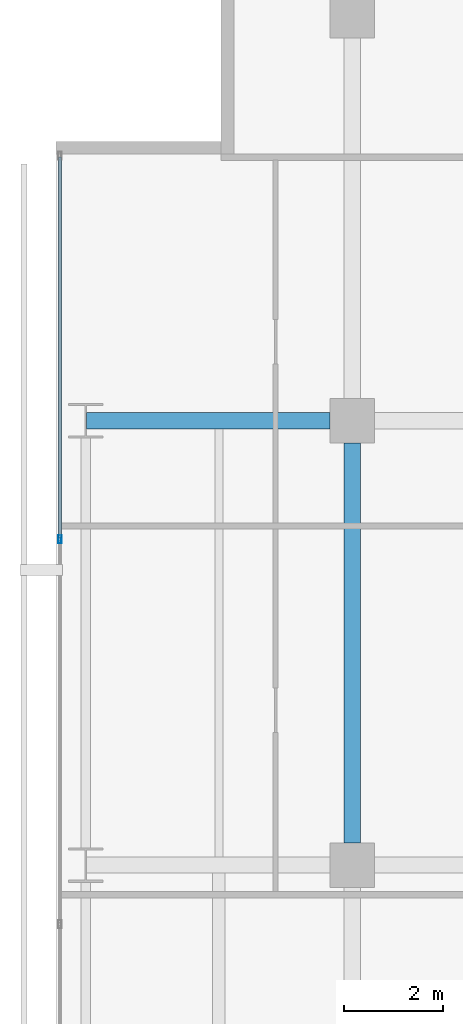
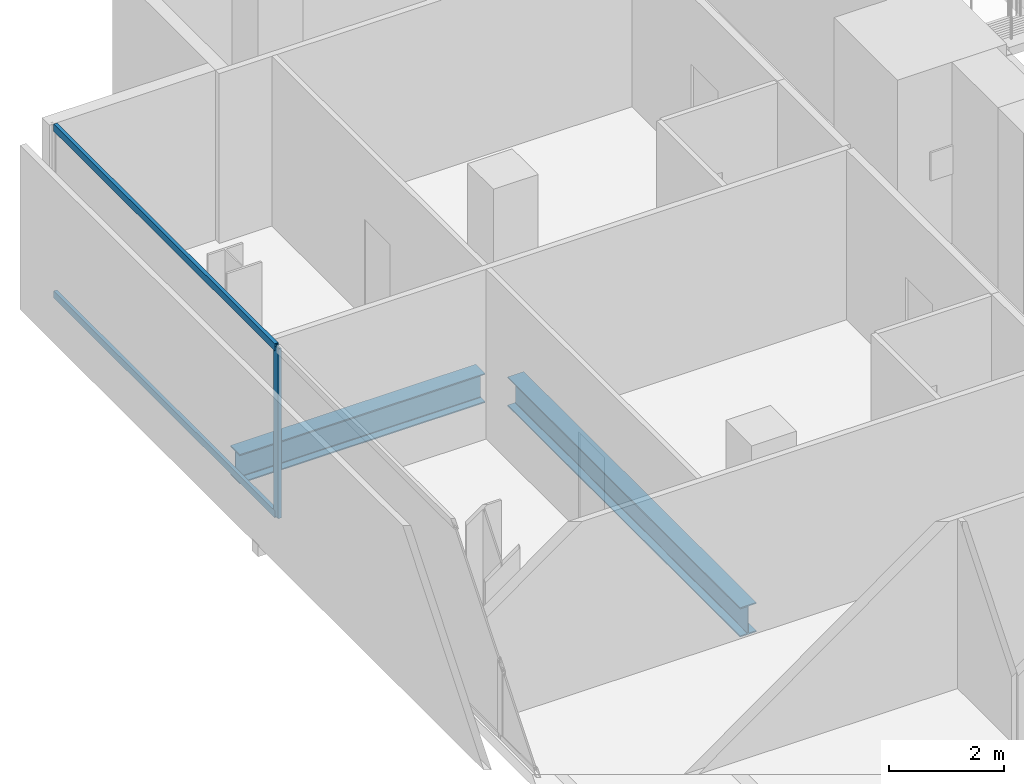
# One storey, part 23 of 39: 3 members, 2 beams, 1 element without a shape of its own.
"""IFC4 building model written with IfcOpenShell, lengths in metres."""

import ifcopenshell
import ifcopenshell.guid

model = None  # the IFC model being written
_history = None  # IfcOwnerHistory: only IFC2X3 demands one
_inside = {}  # id of a spatial element -> (the spatial element, [elements in it])
_under = {}  # id of a project, library or spatial element -> (it, [spatial elements below it])
_declared = {}  # id of a project -> (the project, [libraries it declares])
_typed = {}  # id of a type object -> (the type object, [elements of that type])
_made_of = {}  # id of a material, layer set ... -> (it, [elements and type objects made of it])


def new_model(schema):
    """Start an empty IFC model of exactly this schema.

    Asked for "IFC4X3", IfcOpenShell would pick the latest addendum, in which some entities
    have other attributes; the version numbers below select the first issue.
    IFC2X3 requires an IfcOwnerHistory on every rooted entity: one is made here for all.
    """
    global model, _history
    if schema == "IFC4X3":
        model = ifcopenshell.file(schema_version=(4, 3, 0, 0))
    else:
        model = ifcopenshell.file(schema=schema)
    _inside.clear()
    _under.clear()
    _declared.clear()
    _typed.clear()
    _made_of.clear()
    _history = None
    if model.schema == "IFC2X3":
        org = make("IfcOrganization", Name="unknown")
        user = make(
            "IfcPersonAndOrganization",
            ThePerson=make("IfcPerson", FamilyName="unknown"),
            TheOrganization=org,
        )
        app = make(
            "IfcApplication",
            ApplicationDeveloper=org,
            Version="unknown",
            ApplicationFullName="unknown",
            ApplicationIdentifier="unknown",
        )
        _history = make(
            "IfcOwnerHistory",
            OwningUser=user,
            OwningApplication=app,
            ChangeAction="ADDED",
            CreationDate=0,
        )
    return model


def make(cls, **values):
    """One entity of the class cls with the attributes given. An attribute that is None is left unset."""
    return model.create_entity(
        cls, **{name: value for name, value in values.items() if value is not None}
    )


def rooted(cls, **values):
    """An entity with a GlobalId (a new one), such as an element, a storey or a relation."""
    return make(cls, GlobalId=ifcopenshell.guid.new(), OwnerHistory=_history, **values)


def si_unit(unit_type, name, prefix=None):
    """IfcSIUnit, for example si_unit("LENGTHUNIT", "METRE", prefix="MILLI")."""
    return make("IfcSIUnit", UnitType=unit_type, Prefix=prefix, Name=name)


def assignment(units):
    """IfcUnitAssignment: the units of a project."""
    return None if units is None else make("IfcUnitAssignment", Units=units)


def point(xyz):
    """IfcCartesianPoint."""
    return None if xyz is None else make("IfcCartesianPoint", Coordinates=xyz)


def direction(xyz):
    """IfcDirection."""
    return None if xyz is None else make("IfcDirection", DirectionRatios=xyz)


def frame(location, z_axis=None, x_axis=None):
    """IfcAxis2Placement3D, a coordinate frame: its origin and axes. An axis left out is left unset."""
    return make(
        "IfcAxis2Placement3D",
        Location=point(location),
        Axis=direction(z_axis),
        RefDirection=direction(x_axis),
    )


def frame_2d(location, x_axis=None):
    """IfcAxis2Placement2D, a coordinate frame in the plane: its origin and x axis."""
    return make(
        "IfcAxis2Placement2D", Location=point(location), RefDirection=direction(x_axis)
    )


def origin():
    """The frame at (0, 0, 0) with its axes left unset."""
    return frame((0.0, 0.0, 0.0))


def origin_2d():
    """The frame at (0, 0) in the plane with its x axis left unset."""
    return frame_2d((0.0, 0.0))


def place(relative_to, where):
    """IfcLocalPlacement: puts the frame where relative to a parent placement (None: the world)."""
    return make(
        "IfcLocalPlacement", PlacementRelTo=relative_to, RelativePlacement=where
    )


def context(
    kind, dimensions, precision=None, world=None, true_north=None, identifier=None
):
    """IfcGeometricRepresentationContext, for example the 3D "Model" context."""
    return make(
        "IfcGeometricRepresentationContext",
        ContextIdentifier=identifier,
        ContextType=kind,
        CoordinateSpaceDimension=dimensions,
        Precision=precision,
        WorldCoordinateSystem=world,
        TrueNorth=true_north,
    )


def subcontext(parent, identifier, kind, view, scale=None):
    """IfcGeometricRepresentationSubContext, for example "Body" below "Model"."""
    return make(
        "IfcGeometricRepresentationSubContext",
        ContextIdentifier=identifier,
        ContextType=kind,
        ParentContext=parent,
        TargetScale=scale,
        TargetView=view,
    )


def project(units=None, contexts=None):
    """IfcProject with its units and contexts."""
    return rooted(
        "IfcProject",
        Name="project",
        RepresentationContexts=contexts,
        UnitsInContext=assignment(units),
    )


def spatial(cls, under=None, at=None, **own):
    """A site, building, storey or space (cls), placed at a placement, below another one or the project."""
    s = rooted(cls, ObjectPlacement=at, **own)
    if under is not None:
        _under.setdefault(under.id(), (under, []))[1].append(s)
    return s


def profile(cls, at=None, kind="AREA", **sizes):
    """A parametric profile (cls). Its sizes go by their IFC names, for example OverallWidth=200.0."""
    return make(cls, ProfileType=kind, Position=at, **sizes)


def hollow_rectangle(**sizes):
    """IfcRectangleHollowProfileDef."""
    return profile("IfcRectangleHollowProfileDef", **sizes)


def i_section(**sizes):
    """IfcIShapeProfileDef."""
    return profile("IfcIShapeProfileDef", **sizes)


def extrude(swept, where, along, depth):
    """IfcExtrudedAreaSolid: the profile swept, set in the frame where, extruded along a direction by depth."""
    return make(
        "IfcExtrudedAreaSolid",
        SweptArea=swept,
        Position=where,
        ExtrudedDirection=direction(along),
        Depth=depth,
    )


def shape(context_of_items, identifier, shape_type, items):
    """IfcShapeRepresentation: the items that make up one representation, for example the "Body"."""
    return make(
        "IfcShapeRepresentation",
        ContextOfItems=context_of_items,
        RepresentationIdentifier=identifier,
        RepresentationType=shape_type,
        Items=items,
    )


def material(Name=None, Category=None):
    """IfcMaterial."""
    return make("IfcMaterial", Name=Name, Category=Category)


def layer(
    of_material, thickness, ventilated=None, Name=None, Category=None, Priority=None
):
    """IfcMaterialLayer: one layer of a wall or slab, of a material (None: an air gap)."""
    return make(
        "IfcMaterialLayer",
        Material=of_material,
        LayerThickness=thickness,
        IsVentilated=ventilated,
        Name=Name,
        Category=Category,
        Priority=Priority,
    )


def layer_set(layers, Name=None):
    """IfcMaterialLayerSet."""
    return make("IfcMaterialLayerSet", MaterialLayers=layers, LayerSetName=Name)


def material_profile(
    of_material, cross_section, Name=None, Category=None, Priority=None
):
    """IfcMaterialProfile: a cross section and its material."""
    return make(
        "IfcMaterialProfile",
        Name=Name,
        Material=of_material,
        Profile=cross_section,
        Priority=Priority,
        Category=Category,
    )


def profile_set(profiles, Name=None, composite=None):
    """IfcMaterialProfileSet."""
    return make(
        "IfcMaterialProfileSet",
        Name=Name,
        MaterialProfiles=profiles,
        CompositeProfile=composite,
    )


def made_of(thing, what):
    """Note that an element or type object is made of a material, layer set ...; save() writes the relation."""
    if what is not None:
        _made_of.setdefault(what.id(), (what, []))[1].append(thing)
    return thing


def type_object(cls, material=None, **own):
    """A type object (cls), such as IfcWallType, which elements share."""
    return made_of(rooted(cls, **own), material)


def element(
    cls,
    number,
    at=None,
    inside=None,
    cuts=None,
    type_object=None,
    material=None,
    context=None,
    identifier="Body",
    shape_type=None,
    held_by="IfcProductDefinitionShape",
    body=None,
    shapes=None,
    **own,
):
    """One element of the class cls, such as IfcWall. Its Tag is "e" and its number.

    at: its placement. inside: the storey or other place that contains it. cuts: it is an
    opening in that element (IfcRelVoidsElement). A single representation is given by context,
    identifier, shape_type and body (its items); several are given by shapes. held_by: the class
    of the entity that holds the representations. save() writes the other relations.
    """
    e = rooted(cls, Tag="e%d" % number, ObjectPlacement=at, **own)
    if body is not None:
        shapes = [shape(context, identifier, shape_type, body)]
    if shapes is not None:
        e.Representation = make(held_by, Representations=shapes)
    if inside is not None:
        _inside.setdefault(inside.id(), (inside, []))[1].append(e)
    if cuts is not None:
        rooted(
            "IfcRelVoidsElement", RelatingBuildingElement=cuts, RelatedOpeningElement=e
        )
    if type_object is not None:
        _typed.setdefault(type_object.id(), (type_object, []))[1].append(e)
    return made_of(e, material)


def aggregate(whole, parts):
    """IfcRelAggregates: a whole, such as a stair, and the parts it consists of."""
    return rooted("IfcRelAggregates", RelatingObject=whole, RelatedObjects=parts)


def save(model, path):
    """Write the relations noted so far, then the file.

    IfcRelAggregates (storeys below a building ...), IfcRelContainedInSpatialStructure (elements
    in a storey), IfcRelDefinesByType, IfcRelAssociatesMaterial and IfcRelDeclares: one each for
    every whole, place, type object, material and project.
    """
    for whole, parts in _under.values():
        aggregate(whole, parts)
    for where, things in _inside.values():
        rooted(
            "IfcRelContainedInSpatialStructure",
            RelatedElements=things,
            RelatingStructure=where,
        )
    for kind, things in _typed.values():
        rooted("IfcRelDefinesByType", RelatedObjects=things, RelatingType=kind)
    for what, things in _made_of.values():
        rooted("IfcRelAssociatesMaterial", RelatedObjects=things, RelatingMaterial=what)
    for by, libraries in _declared.values():
        rooted("IfcRelDeclares", RelatingContext=by, RelatedDefinitions=libraries)
    model.write(path)


model = new_model("IFC4")

# Units and contexts
model_context = context("Model", 3, precision=1e-05, world=origin(), true_north=direction((0.0, 1.0)))
body_context = subcontext(model_context, "Body", "Model", "MODEL_VIEW")
ifc_project = project(units=[si_unit("LENGTHUNIT", "METRE"), si_unit("AREAUNIT", "SQUARE_METRE"), si_unit("VOLUMEUNIT", "CUBIC_METRE"), si_unit("PLANEANGLEUNIT", "RADIAN"), si_unit("MASSUNIT", "GRAM", prefix="KILO")], contexts=[model_context])

# Site, building, storey
site_placement = place(None, origin())
site = spatial("IfcSite", under=ifc_project, at=site_placement, CompositionType="ELEMENT")
building_placement = place(site_placement, origin())
building = spatial("IfcBuilding", under=site, at=building_placement, Name="Maruvema Waterfront Hotel and Observation Tower", CompositionType="ELEMENT")
storey_placement = place(building_placement, frame((0.0, 0.0, 46.199951171875)))
storey = spatial("IfcBuildingStorey", under=building, at=storey_placement, Name="L10", CompositionType="ELEMENT", Elevation=46.199951171875)

# Curtain wall, members
ifc_material_1 = material(Name="Anodised bronze aluminium and solar-control low-E IGU", Category="aluminium")
ifc_layer = layer(ifc_material_1, 0.159912109375, Name="Zone 1 Bronze Inner Thermal Curtain Wall System CW-02")
ifc_layer_set = layer_set([ifc_layer], Name="Anodised bronze aluminium and solar-control low-E IGU")
curtain_wall_type = type_object("IfcCurtainWallType", Name="Zone 1 Bronze Inner Thermal Curtain Wall System CW-02", PredefinedType="USERDEFINED", material=ifc_layer_set)
curtain_wall_placement = place(storey_placement, origin())
curtain_wall = element("IfcCurtainWall", 1, at=curtain_wall_placement, inside=storey, type_object=curtain_wall_type, Name="L10 Curtain Wall CW-L10-W", ObjectType="UNITISED CURTAIN WALL", PredefinedType="USERDEFINED")
ifc_material_2 = material(Name="Anodised architectural bronze aluminium", Category="aluminium")
ifc_material_profile_1 = material_profile(ifc_material_2, hollow_rectangle(XDim=0.070068359375, YDim=0.14990234375, WallThickness=0.00390625, at=origin_2d()), Name="ALU-T70x150")
ifc_profile_set_1 = profile_set([ifc_material_profile_1], Name="Anodised architectural bronze aluminium")
member_type_1 = type_object("IfcMemberType", Name="Curtain Wall Horizontal Transom ALU-T70x150", PredefinedType="USERDEFINED", material=ifc_profile_set_1)
member_1_placement = place(storey_placement, frame((10.8798828125, 50.340087890625, 0.030029296875), z_axis=(0.0, -1.0, 0.0), x_axis=(1.0, 0.0, 0.0)))
member_1 = element("IfcMember", 2, at=member_1_placement, type_object=member_type_1, Name="CW-02 transom 1.1", ObjectType="TRANSOM", PredefinedType="USERDEFINED", context=body_context, shape_type="SweptSolid", body=[
    extrude(hollow_rectangle(XDim=0.070068359375, YDim=0.14990234375, WallThickness=0.00390625, at=origin_2d()), origin(), (0.0, 0.0, 1.0), 7.710205078125),
])
member_2_placement = place(storey_placement, frame((10.8798828125, 50.340087890625, 3.580078125), z_axis=(0.0, -1.0, 0.0), x_axis=(1.0, 0.0, 0.0)))
member_2 = element("IfcMember", 3, at=member_2_placement, type_object=member_type_1, Name="CW-02 transom 1.2", ObjectType="TRANSOM", PredefinedType="USERDEFINED", context=body_context, shape_type="SweptSolid", body=[
    extrude(hollow_rectangle(XDim=0.070068359375, YDim=0.14990234375, WallThickness=0.00390625, at=origin_2d()), origin(), (0.0, 0.0, 1.0), 7.710205078125),
])
ifc_material_3 = material(Name="Anodised architectural bronze aluminium", Category="aluminium")
ifc_material_profile_2 = material_profile(ifc_material_3, hollow_rectangle(XDim=0.06494140625, YDim=0.1650390625, WallThickness=0.00390625, at=origin_2d()), Name="ALU-M65x165")
ifc_profile_set_2 = profile_set([ifc_material_profile_2], Name="Anodised architectural bronze aluminium")
member_type_2 = type_object("IfcMemberType", Name="Curtain Wall Primary Mullion ALU-M65x165", PredefinedType="MULLION", material=ifc_profile_set_2)
member_3_placement = place(storey_placement, frame((10.8798828125, 42.60009765625, 0.0), z_axis=(0.0, 0.0, 1.0), x_axis=(1.0, 0.0, 0.0)))
member_3 = element("IfcMember", 4, at=member_3_placement, type_object=member_type_2, Name="CW-02 mullion 2", PredefinedType="MULLION", context=body_context, shape_type="SweptSolid", body=[
    extrude(hollow_rectangle(XDim=0.06494140625, YDim=0.1650390625, WallThickness=0.00390625, at=origin_2d()), origin(), (0.0, 0.0, 1.0), 3.610107421875),
])
aggregate(curtain_wall, [member_3, member_1, member_2])

# Beams
ifc_material_4 = material(Name="Steel ASTM A572 Grade 50", Category="steel")
ifc_material_profile_3 = material_profile(ifc_material_4, i_section(OverallWidth=0.326904296875, OverallDepth=0.6220703125, WebThickness=0.015380859375, FlangeThickness=0.0244140625, FilletRadius=0.01806640625, at=origin_2d()), Name="W610x195.0")
ifc_profile_set_3 = profile_set([ifc_material_profile_3], Name="Steel ASTM A572 Grade 50")
beam_type = type_object("IfcBeamType", Name="Primary Floor Girder W610x195.0", PredefinedType="BEAM", material=ifc_profile_set_3)
beam_1_placement = place(storey_placement, frame((11.4140625, 45.0, -0.551025390625), z_axis=(1.0, 0.0, 0.0), x_axis=(0.0, 1.0, 0.0)))
element("IfcBeam", 5, at=beam_1_placement, inside=storey, type_object=beam_type, Name="L10 Floor Girder EW-32", PredefinedType="BEAM", context=body_context, shape_type="SweptSolid", body=[
    extrude(i_section(OverallWidth=0.326904296875, OverallDepth=0.6220703125, WebThickness=0.015380859375, FlangeThickness=0.0244140625, FilletRadius=0.01806640625, at=origin_2d()), origin(), (0.0, 0.0, 1.0), 4.93603515625),
])
beam_2_placement = place(storey_placement, frame((16.800048828125, 36.449951171875, -0.551025390625), z_axis=(0.0, 1.0, 0.0), x_axis=(-1.0, 0.0, 0.0)))
element("IfcBeam", 6, at=beam_2_placement, inside=storey, type_object=beam_type, Name="L10 Floor Girder NS-09", PredefinedType="BEAM", context=body_context, shape_type="SweptSolid", body=[
    extrude(i_section(OverallWidth=0.326904296875, OverallDepth=0.6220703125, WebThickness=0.015380859375, FlangeThickness=0.0244140625, FilletRadius=0.01806640625, at=origin_2d()), origin(), (0.0, 0.0, 1.0), 8.10009765625),
])

save(model, "model.ifc")
